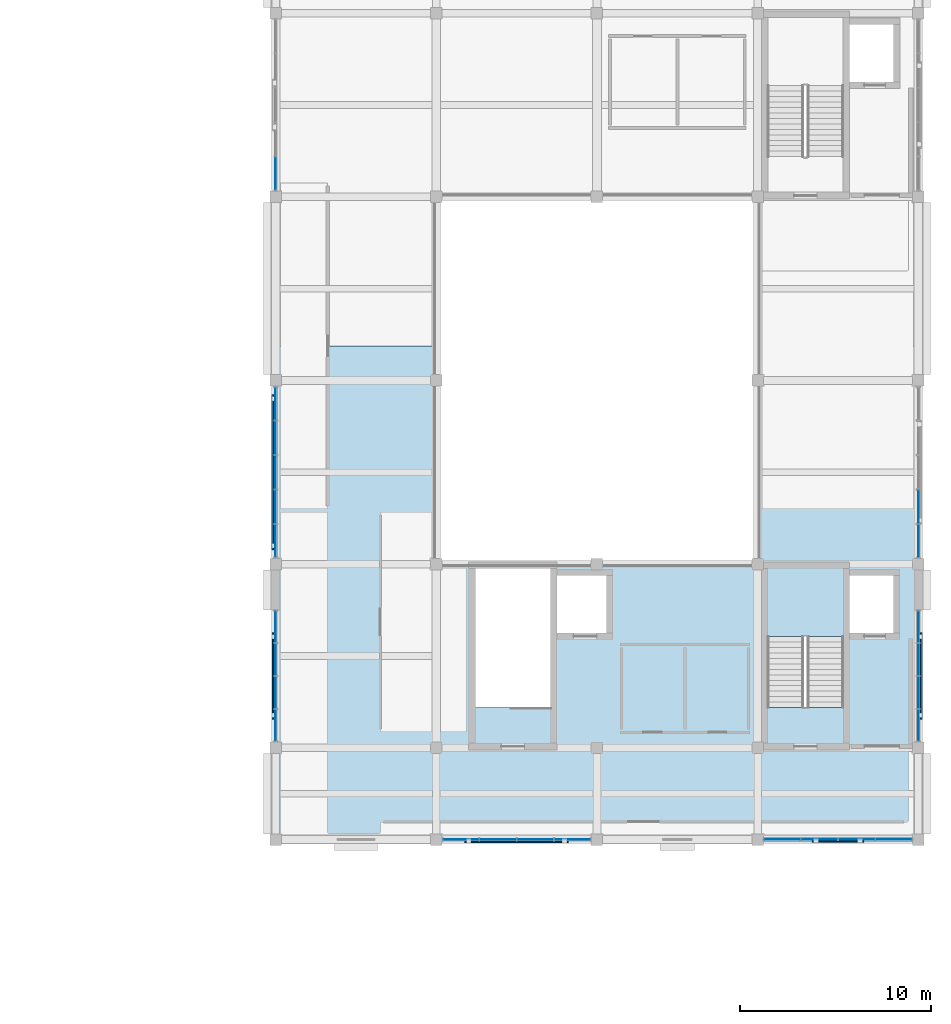
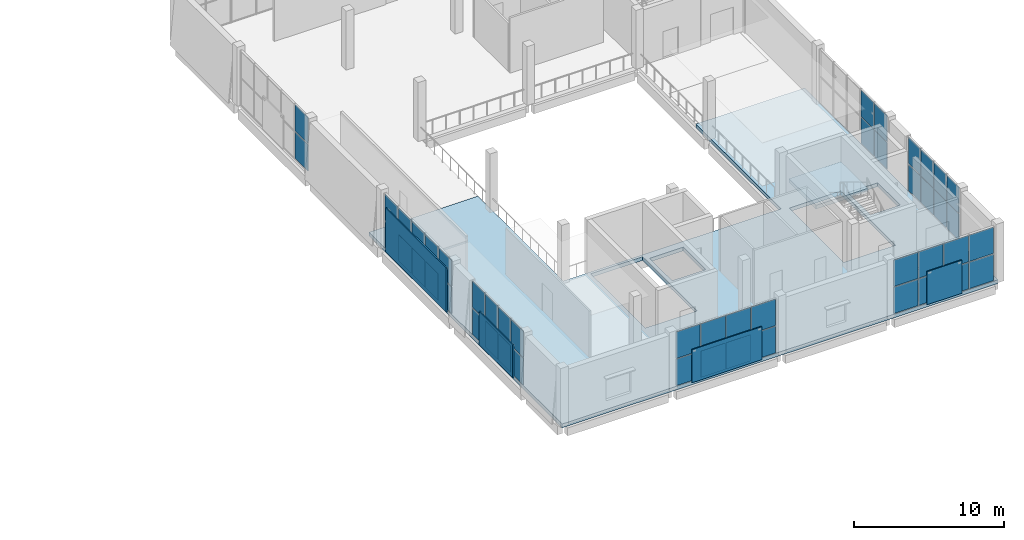
# One storey, part 22 of 37: 53 plates, 2 slabs, 8 elements without a shape of their own.
"""IFC4 building model written with IfcOpenShell, lengths in metres."""

from ifc_helpers import new_model, si_unit, direction, frame, origin, origin_2d, place, context, subcontext, project, spatial, polyline, rectangle, outline, extrude, material, layer, layer_set, type_object, element, aggregate, save


model = new_model("IFC4")

# Units and contexts
model_context = context("Model", 3, precision=1e-05, world=origin(), true_north=direction((0.0, 1.0)))
body_context = subcontext(model_context, "Body", "Model", "MODEL_VIEW")
ifc_project = project(units=[si_unit("LENGTHUNIT", "METRE"), si_unit("AREAUNIT", "SQUARE_METRE"), si_unit("VOLUMEUNIT", "CUBIC_METRE"), si_unit("PLANEANGLEUNIT", "RADIAN"), si_unit("MASSUNIT", "GRAM", prefix="KILO")], contexts=[model_context])

# Site, building, storey
site_placement = place(None, origin())
site = spatial("IfcSite", under=ifc_project, at=site_placement, CompositionType="ELEMENT")
building_placement = place(site_placement, origin())
building = spatial("IfcBuilding", under=site, at=building_placement, Name="Shalvenor Court Art Gallery", CompositionType="ELEMENT")
storey_placement = place(building_placement, frame((0.0, 0.0, 22.199951171875)))
storey = spatial("IfcBuildingStorey", under=building, at=storey_placement, Name="L04", CompositionType="ELEMENT", Elevation=22.199951171875)

# Curtain wall, plates
ifc_material_1 = material(Name="Anodised aluminium and low-iron glass curtain wall", Category="aluminium")
curtain_wall_type_1 = type_object("IfcCurtainWallType", Name="CW-5x2-90-45-212", PredefinedType="USERDEFINED", material=ifc_material_1)
curtain_wall_1_placement = place(storey_placement, origin())
curtain_wall_1 = element("IfcCurtainWall", 1, at=curtain_wall_1_placement, inside=storey, type_object=curtain_wall_type_1, Name="L04 V1 Curtain Wall CW-L04-033", ObjectType="CURTAIN WALL", PredefinedType="USERDEFINED")
ifc_material_2 = material(Name="Low-iron triple-silver solar gallery glazing IGU", Category="glass")
ifc_layer_1 = layer(ifc_material_2, 0.031982421875, Name="Low-iron triple-silver solar gallery glazing IGU")
ifc_layer_set_1 = layer_set([ifc_layer_1], Name="Low-iron triple-silver solar gallery glazing IGU")
plate_type_1 = type_object("IfcPlateType", Name="CWP-02", PredefinedType="CURTAIN_PANEL", material=ifc_layer_set_1)
plate_1_placement = place(storey_placement, frame((176.39990234375, 63.0, 0.06005859375), z_axis=(0.0, 0.0, 1.0), x_axis=(0.0, -1.0, 0.0)))
plate_1 = element("IfcPlate", 2, at=plate_1_placement, type_object=plate_type_1, Name="CW-5x2-90-45-212 panel 4.1", PredefinedType="CURTAIN_PANEL", context=body_context, shape_type="SweptSolid", body=[
    extrude(rectangle(XDim=1.72998046875, YDim=0.031982421875, at=origin_2d()), origin(), (0.0, 0.0, 1.0), 2.159912109375),
])
plate_2_placement = place(storey_placement, frame((176.39990234375, 63.0, 2.2802734375), z_axis=(0.0, 0.0, 1.0), x_axis=(0.0, -1.0, 0.0)))
plate_2 = element("IfcPlate", 3, at=plate_2_placement, type_object=plate_type_1, Name="CW-5x2-90-45-212 panel 4.2", PredefinedType="CURTAIN_PANEL", context=body_context, shape_type="SweptSolid", body=[
    extrude(rectangle(XDim=1.72998046875, YDim=0.031982421875, at=origin_2d()), origin(), (0.0, 0.0, 1.0), 2.159912109375),
])
plate_3_placement = place(storey_placement, frame((176.39990234375, 61.217529296875, 0.06005859375), z_axis=(0.0, 0.0, 1.0), x_axis=(0.0, -1.0, 0.0)))
plate_3 = element("IfcPlate", 4, at=plate_3_placement, type_object=plate_type_1, Name="CW-5x2-90-45-212 panel 5.1", PredefinedType="CURTAIN_PANEL", context=body_context, shape_type="SweptSolid", body=[
    extrude(rectangle(XDim=1.695068359375, YDim=0.031982421875, at=origin_2d()), origin(), (0.0, 0.0, 1.0), 2.159912109375),
])
plate_4_placement = place(storey_placement, frame((176.39990234375, 61.217529296875, 2.2802734375), z_axis=(0.0, 0.0, 1.0), x_axis=(0.0, -1.0, 0.0)))
plate_4 = element("IfcPlate", 5, at=plate_4_placement, type_object=plate_type_1, Name="CW-5x2-90-45-212 panel 5.2", PredefinedType="CURTAIN_PANEL", context=body_context, shape_type="SweptSolid", body=[
    extrude(rectangle(XDim=1.695068359375, YDim=0.031982421875, at=origin_2d()), origin(), (0.0, 0.0, 1.0), 2.159912109375),
])
aggregate(curtain_wall_1, [plate_1, plate_2, plate_3, plate_4])

ifc_material_3 = material(Name="Anodised aluminium and low-iron glass curtain wall", Category="aluminium")
curtain_wall_type_2 = type_object("IfcCurtainWallType", Name="CW-4x2-69-45-422", PredefinedType="USERDEFINED", material=ifc_material_3)
curtain_wall_2_placement = place(storey_placement, origin())
curtain_wall_2 = element("IfcCurtainWall", 6, at=curtain_wall_2_placement, inside=storey, type_object=curtain_wall_type_2, Name="L04 V1 Curtain Wall CW-L04-034", ObjectType="CURTAIN WALL", PredefinedType="USERDEFINED")
plate_5_placement = place(storey_placement, frame((176.39990234375, 56.71875, 0.06494140625), z_axis=(0.0, 0.0, 1.0), x_axis=(0.0, -1.0, 0.0)))
plate_5 = element("IfcPlate", 7, at=plate_5_placement, type_object=plate_type_1, Name="CW-4x2-69-45-422 panel 1.1", PredefinedType="CURTAIN_PANEL", context=body_context, shape_type="SweptSolid", body=[
    extrude(rectangle(XDim=1.612548828125, YDim=0.031982421875, at=origin_2d()), origin(), (0.0, 0.0, 1.0), 2.152587890625),
])
plate_6_placement = place(storey_placement, frame((176.39990234375, 56.71875, 2.28271484375), z_axis=(0.0, 0.0, 1.0), x_axis=(0.0, -1.0, 0.0)))
plate_6 = element("IfcPlate", 8, at=plate_6_placement, type_object=plate_type_1, Name="CW-4x2-69-45-422 panel 1.2", PredefinedType="CURTAIN_PANEL", context=body_context, shape_type="SweptSolid", body=[
    extrude(rectangle(XDim=1.612548828125, YDim=0.031982421875, at=origin_2d()), origin(), (0.0, 0.0, 1.0), 2.152587890625),
])
plate_7_placement = place(storey_placement, frame((176.39990234375, 55.012451171875, 0.06494140625), z_axis=(0.0, 0.0, 1.0), x_axis=(0.0, -1.0, 0.0)))
plate_7 = element("IfcPlate", 9, at=plate_7_placement, type_object=plate_type_1, Name="CW-4x2-69-45-422 panel 2.1", PredefinedType="CURTAIN_PANEL", context=body_context, shape_type="SweptSolid", body=[
    extrude(rectangle(XDim=1.64990234375, YDim=0.031982421875, at=origin_2d()), origin(), (0.0, 0.0, 1.0), 2.152587890625),
])
plate_8_placement = place(storey_placement, frame((176.39990234375, 55.012451171875, 2.28271484375), z_axis=(0.0, 0.0, 1.0), x_axis=(0.0, -1.0, 0.0)))
plate_8 = element("IfcPlate", 10, at=plate_8_placement, type_object=plate_type_1, Name="CW-4x2-69-45-422 panel 2.2", PredefinedType="CURTAIN_PANEL", context=body_context, shape_type="SweptSolid", body=[
    extrude(rectangle(XDim=1.64990234375, YDim=0.031982421875, at=origin_2d()), origin(), (0.0, 0.0, 1.0), 2.152587890625),
])
plate_9_placement = place(storey_placement, frame((176.39990234375, 53.28759765625, 0.06494140625), z_axis=(0.0, 0.0, 1.0), x_axis=(0.0, -1.0, 0.0)))
plate_9 = element("IfcPlate", 11, at=plate_9_placement, type_object=plate_type_1, Name="CW-4x2-69-45-422 panel 3.1", PredefinedType="CURTAIN_PANEL", context=body_context, shape_type="SweptSolid", body=[
    extrude(rectangle(XDim=1.64990234375, YDim=0.031982421875, at=origin_2d()), origin(), (0.0, 0.0, 1.0), 2.152587890625),
])
plate_10_placement = place(storey_placement, frame((176.39990234375, 53.28759765625, 2.28271484375), z_axis=(0.0, 0.0, 1.0), x_axis=(0.0, -1.0, 0.0)))
plate_10 = element("IfcPlate", 12, at=plate_10_placement, type_object=plate_type_1, Name="CW-4x2-69-45-422 panel 3.2", PredefinedType="CURTAIN_PANEL", context=body_context, shape_type="SweptSolid", body=[
    extrude(rectangle(XDim=1.64990234375, YDim=0.031982421875, at=origin_2d()), origin(), (0.0, 0.0, 1.0), 2.152587890625),
])
plate_11_placement = place(storey_placement, frame((176.39990234375, 51.581298828125, 0.06494140625), z_axis=(0.0, 0.0, 1.0), x_axis=(0.0, -1.0, 0.0)))
plate_11 = element("IfcPlate", 13, at=plate_11_placement, type_object=plate_type_1, Name="CW-4x2-69-45-422 panel 4.1", PredefinedType="CURTAIN_PANEL", context=body_context, shape_type="SweptSolid", body=[
    extrude(rectangle(XDim=1.612548828125, YDim=0.031982421875, at=origin_2d()), origin(), (0.0, 0.0, 1.0), 2.152587890625),
])
plate_12_placement = place(storey_placement, frame((176.39990234375, 51.581298828125, 2.28271484375), z_axis=(0.0, 0.0, 1.0), x_axis=(0.0, -1.0, 0.0)))
plate_12 = element("IfcPlate", 14, at=plate_12_placement, type_object=plate_type_1, Name="CW-4x2-69-45-422 panel 4.2", PredefinedType="CURTAIN_PANEL", context=body_context, shape_type="SweptSolid", body=[
    extrude(rectangle(XDim=1.612548828125, YDim=0.031982421875, at=origin_2d()), origin(), (0.0, 0.0, 1.0), 2.152587890625),
])
aggregate(curtain_wall_2, [plate_5, plate_6, plate_7, plate_8, plate_9, plate_10, plate_11, plate_12])

ifc_material_4 = material(Name="Anodised aluminium and low-iron glass curtain wall", Category="aluminium")
curtain_wall_type_3 = type_object("IfcCurtainWallType", Name="CW-4x2-78-45-642", PredefinedType="USERDEFINED", material=ifc_material_4)
curtain_wall_3_placement = place(storey_placement, origin())
curtain_wall_3 = element("IfcCurtainWall", 15, at=curtain_wall_3_placement, inside=storey, type_object=curtain_wall_type_3, Name="L04 V1 Curtain Wall CW-L04-035", ObjectType="CURTAIN WALL", PredefinedType="USERDEFINED")
plate_13_placement = place(storey_placement, frame((175.111328125, 45.60009765625, 0.070068359375), z_axis=(0.0, 0.0, 1.0), x_axis=(-1.0, 0.0, 0.0)))
plate_13 = element("IfcPlate", 16, at=plate_13_placement, type_object=plate_type_1, Name="CW-4x2-78-45-642 panel 1.1", PredefinedType="CURTAIN_PANEL", context=body_context, shape_type="SweptSolid", body=[
    extrude(rectangle(XDim=1.867431640625, YDim=0.031982421875, at=origin_2d()), origin(), (0.0, 0.0, 1.0), 2.14501953125),
])
plate_14_placement = place(storey_placement, frame((175.111328125, 45.60009765625, 2.28515625), z_axis=(0.0, 0.0, 1.0), x_axis=(-1.0, 0.0, 0.0)))
plate_14 = element("IfcPlate", 17, at=plate_14_placement, type_object=plate_type_1, Name="CW-4x2-78-45-642 panel 1.2", PredefinedType="CURTAIN_PANEL", context=body_context, shape_type="SweptSolid", body=[
    extrude(rectangle(XDim=1.867431640625, YDim=0.031982421875, at=origin_2d()), origin(), (0.0, 0.0, 1.0), 2.14501953125),
])
plate_15_placement = place(storey_placement, frame((173.175048828125, 45.60009765625, 0.070068359375), z_axis=(0.0, 0.0, 1.0), x_axis=(-1.0, 0.0, 0.0)))
plate_15 = element("IfcPlate", 18, at=plate_15_placement, type_object=plate_type_1, Name="CW-4x2-78-45-642 panel 2.1", PredefinedType="CURTAIN_PANEL", context=body_context, shape_type="SweptSolid", body=[
    extrude(rectangle(XDim=1.89501953125, YDim=0.031982421875, at=origin_2d()), origin(), (0.0, 0.0, 1.0), 2.14501953125),
])
plate_16_placement = place(storey_placement, frame((173.175048828125, 45.60009765625, 2.28515625), z_axis=(0.0, 0.0, 1.0), x_axis=(-1.0, 0.0, 0.0)))
plate_16 = element("IfcPlate", 19, at=plate_16_placement, type_object=plate_type_1, Name="CW-4x2-78-45-642 panel 2.2", PredefinedType="CURTAIN_PANEL", context=body_context, shape_type="SweptSolid", body=[
    extrude(rectangle(XDim=1.89501953125, YDim=0.031982421875, at=origin_2d()), origin(), (0.0, 0.0, 1.0), 2.14501953125),
])
plate_17_placement = place(storey_placement, frame((171.22509765625, 45.60009765625, 0.070068359375), z_axis=(0.0, 0.0, 1.0), x_axis=(-1.0, 0.0, 0.0)))
plate_17 = element("IfcPlate", 20, at=plate_17_placement, type_object=plate_type_1, Name="CW-4x2-78-45-642 panel 3.1", PredefinedType="CURTAIN_PANEL", context=body_context, shape_type="SweptSolid", body=[
    extrude(rectangle(XDim=1.89501953125, YDim=0.031982421875, at=origin_2d()), origin(), (0.0, 0.0, 1.0), 2.14501953125),
])
plate_18_placement = place(storey_placement, frame((171.22509765625, 45.60009765625, 2.28515625), z_axis=(0.0, 0.0, 1.0), x_axis=(-1.0, 0.0, 0.0)))
plate_18 = element("IfcPlate", 21, at=plate_18_placement, type_object=plate_type_1, Name="CW-4x2-78-45-642 panel 3.2", PredefinedType="CURTAIN_PANEL", context=body_context, shape_type="SweptSolid", body=[
    extrude(rectangle(XDim=1.89501953125, YDim=0.031982421875, at=origin_2d()), origin(), (0.0, 0.0, 1.0), 2.14501953125),
])
plate_19_placement = place(storey_placement, frame((169.288818359375, 45.60009765625, 0.070068359375), z_axis=(0.0, 0.0, 1.0), x_axis=(-1.0, 0.0, 0.0)))
plate_19 = element("IfcPlate", 22, at=plate_19_placement, type_object=plate_type_1, Name="CW-4x2-78-45-642 panel 4.1", PredefinedType="CURTAIN_PANEL", context=body_context, shape_type="SweptSolid", body=[
    extrude(rectangle(XDim=1.867431640625, YDim=0.031982421875, at=origin_2d()), origin(), (0.0, 0.0, 1.0), 2.14501953125),
])
plate_20_placement = place(storey_placement, frame((169.288818359375, 45.60009765625, 2.28515625), z_axis=(0.0, 0.0, 1.0), x_axis=(-1.0, 0.0, 0.0)))
plate_20 = element("IfcPlate", 23, at=plate_20_placement, type_object=plate_type_1, Name="CW-4x2-78-45-642 panel 4.2", PredefinedType="CURTAIN_PANEL", context=body_context, shape_type="SweptSolid", body=[
    extrude(rectangle(XDim=1.867431640625, YDim=0.031982421875, at=origin_2d()), origin(), (0.0, 0.0, 1.0), 2.14501953125),
])
aggregate(curtain_wall_3, [plate_13, plate_14, plate_15, plate_16, plate_17, plate_18, plate_19, plate_20])

ifc_material_5 = material(Name="Anodised aluminium and low-iron glass curtain wall", Category="aluminium")
curtain_wall_type_4 = type_object("IfcCurtainWallType", Name="CW-4x2-78-45-112", PredefinedType="USERDEFINED", material=ifc_material_5)
curtain_wall_4_placement = place(storey_placement, origin())
curtain_wall_4 = element("IfcCurtainWall", 24, at=curtain_wall_4_placement, inside=storey, type_object=curtain_wall_type_4, Name="L04 V1 Curtain Wall CW-L04-036", ObjectType="CURTAIN WALL", PredefinedType="USERDEFINED")
plate_21_placement = place(storey_placement, frame((158.308837890625, 45.60009765625, 0.06005859375), z_axis=(0.0, 0.0, 1.0), x_axis=(-1.0, 0.0, 0.0)))
plate_21 = element("IfcPlate", 25, at=plate_21_placement, type_object=plate_type_1, Name="CW-4x2-78-45-112 panel 1.1", PredefinedType="CURTAIN_PANEL", context=body_context, shape_type="SweptSolid", body=[
    extrude(rectangle(XDim=1.8525390625, YDim=0.031982421875, at=origin_2d()), origin(), (0.0, 0.0, 1.0), 2.159912109375),
])
plate_22_placement = place(storey_placement, frame((158.308837890625, 45.60009765625, 2.2802734375), z_axis=(0.0, 0.0, 1.0), x_axis=(-1.0, 0.0, 0.0)))
plate_22 = element("IfcPlate", 26, at=plate_22_placement, type_object=plate_type_1, Name="CW-4x2-78-45-112 panel 1.2", PredefinedType="CURTAIN_PANEL", context=body_context, shape_type="SweptSolid", body=[
    extrude(rectangle(XDim=1.8525390625, YDim=0.031982421875, at=origin_2d()), origin(), (0.0, 0.0, 1.0), 2.159912109375),
])
plate_23_placement = place(storey_placement, frame((156.375, 45.60009765625, 0.06005859375), z_axis=(0.0, 0.0, 1.0), x_axis=(-1.0, 0.0, 0.0)))
plate_23 = element("IfcPlate", 27, at=plate_23_placement, type_object=plate_type_1, Name="CW-4x2-78-45-112 panel 2.1", PredefinedType="CURTAIN_PANEL", context=body_context, shape_type="SweptSolid", body=[
    extrude(rectangle(XDim=1.885009765625, YDim=0.031982421875, at=origin_2d()), origin(), (0.0, 0.0, 1.0), 2.159912109375),
])
plate_24_placement = place(storey_placement, frame((156.375, 45.60009765625, 2.2802734375), z_axis=(0.0, 0.0, 1.0), x_axis=(-1.0, 0.0, 0.0)))
plate_24 = element("IfcPlate", 28, at=plate_24_placement, type_object=plate_type_1, Name="CW-4x2-78-45-112 panel 2.2", PredefinedType="CURTAIN_PANEL", context=body_context, shape_type="SweptSolid", body=[
    extrude(rectangle(XDim=1.885009765625, YDim=0.031982421875, at=origin_2d()), origin(), (0.0, 0.0, 1.0), 2.159912109375),
])
plate_25_placement = place(storey_placement, frame((154.425048828125, 45.60009765625, 0.06005859375), z_axis=(0.0, 0.0, 1.0), x_axis=(-1.0, 0.0, 0.0)))
plate_25 = element("IfcPlate", 29, at=plate_25_placement, type_object=plate_type_1, Name="CW-4x2-78-45-112 panel 3.1", PredefinedType="CURTAIN_PANEL", context=body_context, shape_type="SweptSolid", body=[
    extrude(rectangle(XDim=1.885009765625, YDim=0.031982421875, at=origin_2d()), origin(), (0.0, 0.0, 1.0), 2.159912109375),
])
plate_26_placement = place(storey_placement, frame((154.425048828125, 45.60009765625, 2.2802734375), z_axis=(0.0, 0.0, 1.0), x_axis=(-1.0, 0.0, 0.0)))
plate_26 = element("IfcPlate", 30, at=plate_26_placement, type_object=plate_type_1, Name="CW-4x2-78-45-112 panel 3.2", PredefinedType="CURTAIN_PANEL", context=body_context, shape_type="SweptSolid", body=[
    extrude(rectangle(XDim=1.885009765625, YDim=0.031982421875, at=origin_2d()), origin(), (0.0, 0.0, 1.0), 2.159912109375),
])
plate_27_placement = place(storey_placement, frame((152.4912109375, 45.60009765625, 0.06005859375), z_axis=(0.0, 0.0, 1.0), x_axis=(-1.0, 0.0, 0.0)))
plate_27 = element("IfcPlate", 31, at=plate_27_placement, type_object=plate_type_1, Name="CW-4x2-78-45-112 panel 4.1", PredefinedType="CURTAIN_PANEL", context=body_context, shape_type="SweptSolid", body=[
    extrude(rectangle(XDim=1.8525390625, YDim=0.031982421875, at=origin_2d()), origin(), (0.0, 0.0, 1.0), 2.159912109375),
])
plate_28_placement = place(storey_placement, frame((152.4912109375, 45.60009765625, 2.2802734375), z_axis=(0.0, 0.0, 1.0), x_axis=(-1.0, 0.0, 0.0)))
plate_28 = element("IfcPlate", 32, at=plate_28_placement, type_object=plate_type_1, Name="CW-4x2-78-45-112 panel 4.2", PredefinedType="CURTAIN_PANEL", context=body_context, shape_type="SweptSolid", body=[
    extrude(rectangle(XDim=1.8525390625, YDim=0.031982421875, at=origin_2d()), origin(), (0.0, 0.0, 1.0), 2.159912109375),
])
aggregate(curtain_wall_4, [plate_21, plate_22, plate_23, plate_24, plate_25, plate_26, plate_27, plate_28])

ifc_material_6 = material(Name="Anodised aluminium and low-iron glass curtain wall", Category="aluminium")
curtain_wall_type_5 = type_object("IfcCurtainWallType", Name="CW-4x2-69-45-222", PredefinedType="USERDEFINED", material=ifc_material_6)
curtain_wall_5_placement = place(storey_placement, origin())
curtain_wall_5 = element("IfcCurtainWall", 33, at=curtain_wall_5_placement, inside=storey, type_object=curtain_wall_type_5, Name="L04 V1 Curtain Wall CW-L04-037", ObjectType="CURTAIN WALL", PredefinedType="USERDEFINED")
plate_29_placement = place(storey_placement, frame((142.800048828125, 51.580078125, 0.06494140625), z_axis=(0.0, 0.0, 1.0), x_axis=(0.0, 1.0, 0.0)))
plate_29 = element("IfcPlate", 34, at=plate_29_placement, type_object=plate_type_1, Name="CW-4x2-69-45-222 panel 1.1", PredefinedType="CURTAIN_PANEL", context=body_context, shape_type="SweptSolid", body=[
    extrude(rectangle(XDim=1.6201171875, YDim=0.031982421875, at=origin_2d()), origin(), (0.0, 0.0, 1.0), 2.152587890625),
])
plate_30_placement = place(storey_placement, frame((142.800048828125, 51.580078125, 2.28271484375), z_axis=(0.0, 0.0, 1.0), x_axis=(0.0, 1.0, 0.0)))
plate_30 = element("IfcPlate", 35, at=plate_30_placement, type_object=plate_type_1, Name="CW-4x2-69-45-222 panel 1.2", PredefinedType="CURTAIN_PANEL", context=body_context, shape_type="SweptSolid", body=[
    extrude(rectangle(XDim=1.6201171875, YDim=0.031982421875, at=origin_2d()), origin(), (0.0, 0.0, 1.0), 2.152587890625),
])
plate_31_placement = place(storey_placement, frame((142.800048828125, 53.28759765625, 0.06494140625), z_axis=(0.0, 0.0, 1.0), x_axis=(0.0, 1.0, 0.0)))
plate_31 = element("IfcPlate", 36, at=plate_31_placement, type_object=plate_type_1, Name="CW-4x2-69-45-222 panel 2.1", PredefinedType="CURTAIN_PANEL", context=body_context, shape_type="SweptSolid", body=[
    extrude(rectangle(XDim=1.655029296875, YDim=0.031982421875, at=origin_2d()), origin(), (0.0, 0.0, 1.0), 2.152587890625),
])
plate_32_placement = place(storey_placement, frame((142.800048828125, 53.28759765625, 2.28271484375), z_axis=(0.0, 0.0, 1.0), x_axis=(0.0, 1.0, 0.0)))
plate_32 = element("IfcPlate", 37, at=plate_32_placement, type_object=plate_type_1, Name="CW-4x2-69-45-222 panel 2.2", PredefinedType="CURTAIN_PANEL", context=body_context, shape_type="SweptSolid", body=[
    extrude(rectangle(XDim=1.655029296875, YDim=0.031982421875, at=origin_2d()), origin(), (0.0, 0.0, 1.0), 2.152587890625),
])
plate_33_placement = place(storey_placement, frame((142.800048828125, 55.012451171875, 0.06494140625), z_axis=(0.0, 0.0, 1.0), x_axis=(0.0, 1.0, 0.0)))
plate_33 = element("IfcPlate", 38, at=plate_33_placement, type_object=plate_type_1, Name="CW-4x2-69-45-222 panel 3.1", PredefinedType="CURTAIN_PANEL", context=body_context, shape_type="SweptSolid", body=[
    extrude(rectangle(XDim=1.655029296875, YDim=0.031982421875, at=origin_2d()), origin(), (0.0, 0.0, 1.0), 2.152587890625),
])
plate_34_placement = place(storey_placement, frame((142.800048828125, 55.012451171875, 2.28271484375), z_axis=(0.0, 0.0, 1.0), x_axis=(0.0, 1.0, 0.0)))
plate_34 = element("IfcPlate", 39, at=plate_34_placement, type_object=plate_type_1, Name="CW-4x2-69-45-222 panel 3.2", PredefinedType="CURTAIN_PANEL", context=body_context, shape_type="SweptSolid", body=[
    extrude(rectangle(XDim=1.655029296875, YDim=0.031982421875, at=origin_2d()), origin(), (0.0, 0.0, 1.0), 2.152587890625),
])
plate_35_placement = place(storey_placement, frame((142.800048828125, 56.719970703125, 0.06494140625), z_axis=(0.0, 0.0, 1.0), x_axis=(0.0, 1.0, 0.0)))
plate_35 = element("IfcPlate", 40, at=plate_35_placement, type_object=plate_type_1, Name="CW-4x2-69-45-222 panel 4.1", PredefinedType="CURTAIN_PANEL", context=body_context, shape_type="SweptSolid", body=[
    extrude(rectangle(XDim=1.6201171875, YDim=0.031982421875, at=origin_2d()), origin(), (0.0, 0.0, 1.0), 2.152587890625),
])
plate_36_placement = place(storey_placement, frame((142.800048828125, 56.719970703125, 2.28271484375), z_axis=(0.0, 0.0, 1.0), x_axis=(0.0, 1.0, 0.0)))
plate_36 = element("IfcPlate", 41, at=plate_36_placement, type_object=plate_type_1, Name="CW-4x2-69-45-222 panel 4.2", PredefinedType="CURTAIN_PANEL", context=body_context, shape_type="SweptSolid", body=[
    extrude(rectangle(XDim=1.6201171875, YDim=0.031982421875, at=origin_2d()), origin(), (0.0, 0.0, 1.0), 2.152587890625),
])
aggregate(curtain_wall_5, [plate_29, plate_30, plate_31, plate_32, plate_33, plate_34, plate_35, plate_36])

ifc_material_7 = material(Name="Anodised aluminium and low-iron glass curtain wall", Category="aluminium")
curtain_wall_type_6 = type_object("IfcCurtainWallType", Name="CW-5x2-90-45-442", PredefinedType="USERDEFINED", material=ifc_material_7)
curtain_wall_6_placement = place(storey_placement, origin())
curtain_wall_6 = element("IfcCurtainWall", 42, at=curtain_wall_6_placement, inside=storey, type_object=curtain_wall_type_6, Name="L04 V1 Curtain Wall CW-L04-038", ObjectType="CURTAIN WALL", PredefinedType="USERDEFINED")
plate_37_placement = place(storey_placement, frame((142.800048828125, 61.21875, 0.070068359375), z_axis=(0.0, 0.0, 1.0), x_axis=(0.0, 1.0, 0.0)))
plate_37 = element("IfcPlate", 43, at=plate_37_placement, type_object=plate_type_1, Name="CW-5x2-90-45-442 panel 1.1", PredefinedType="CURTAIN_PANEL", context=body_context, shape_type="SweptSolid", body=[
    extrude(rectangle(XDim=1.6875, YDim=0.031982421875, at=origin_2d()), origin(), (0.0, 0.0, 1.0), 2.14501953125),
])
plate_38_placement = place(storey_placement, frame((142.800048828125, 61.21875, 2.28515625), z_axis=(0.0, 0.0, 1.0), x_axis=(0.0, 1.0, 0.0)))
plate_38 = element("IfcPlate", 44, at=plate_38_placement, type_object=plate_type_1, Name="CW-5x2-90-45-442 panel 1.2", PredefinedType="CURTAIN_PANEL", context=body_context, shape_type="SweptSolid", body=[
    extrude(rectangle(XDim=1.6875, YDim=0.031982421875, at=origin_2d()), origin(), (0.0, 0.0, 1.0), 2.14501953125),
])
plate_39_placement = place(storey_placement, frame((142.800048828125, 63.0, 0.070068359375), z_axis=(0.0, 0.0, 1.0), x_axis=(0.0, 1.0, 0.0)))
plate_39 = element("IfcPlate", 45, at=plate_39_placement, type_object=plate_type_1, Name="CW-5x2-90-45-442 panel 2.1", PredefinedType="CURTAIN_PANEL", context=body_context, shape_type="SweptSolid", body=[
    extrude(rectangle(XDim=1.72509765625, YDim=0.031982421875, at=origin_2d()), origin(), (0.0, 0.0, 1.0), 2.14501953125),
])
plate_40_placement = place(storey_placement, frame((142.800048828125, 63.0, 2.28515625), z_axis=(0.0, 0.0, 1.0), x_axis=(0.0, 1.0, 0.0)))
plate_40 = element("IfcPlate", 46, at=plate_40_placement, type_object=plate_type_1, Name="CW-5x2-90-45-442 panel 2.2", PredefinedType="CURTAIN_PANEL", context=body_context, shape_type="SweptSolid", body=[
    extrude(rectangle(XDim=1.72509765625, YDim=0.031982421875, at=origin_2d()), origin(), (0.0, 0.0, 1.0), 2.14501953125),
])
plate_41_placement = place(storey_placement, frame((142.800048828125, 64.800048828125, 0.070068359375), z_axis=(0.0, 0.0, 1.0), x_axis=(0.0, 1.0, 0.0)))
plate_41 = element("IfcPlate", 47, at=plate_41_placement, type_object=plate_type_1, Name="CW-5x2-90-45-442 panel 3.1", PredefinedType="CURTAIN_PANEL", context=body_context, shape_type="SweptSolid", body=[
    extrude(rectangle(XDim=1.72509765625, YDim=0.031982421875, at=origin_2d()), origin(), (0.0, 0.0, 1.0), 2.14501953125),
])
plate_42_placement = place(storey_placement, frame((142.800048828125, 64.800048828125, 2.28515625), z_axis=(0.0, 0.0, 1.0), x_axis=(0.0, 1.0, 0.0)))
plate_42 = element("IfcPlate", 48, at=plate_42_placement, type_object=plate_type_1, Name="CW-5x2-90-45-442 panel 3.2", PredefinedType="CURTAIN_PANEL", context=body_context, shape_type="SweptSolid", body=[
    extrude(rectangle(XDim=1.72509765625, YDim=0.031982421875, at=origin_2d()), origin(), (0.0, 0.0, 1.0), 2.14501953125),
])
plate_43_placement = place(storey_placement, frame((142.800048828125, 66.60009765625, 0.070068359375), z_axis=(0.0, 0.0, 1.0), x_axis=(0.0, 1.0, 0.0)))
plate_43 = element("IfcPlate", 49, at=plate_43_placement, type_object=plate_type_1, Name="CW-5x2-90-45-442 panel 4.1", PredefinedType="CURTAIN_PANEL", context=body_context, shape_type="SweptSolid", body=[
    extrude(rectangle(XDim=1.72509765625, YDim=0.031982421875, at=origin_2d()), origin(), (0.0, 0.0, 1.0), 2.14501953125),
])
plate_44_placement = place(storey_placement, frame((142.800048828125, 66.60009765625, 2.28515625), z_axis=(0.0, 0.0, 1.0), x_axis=(0.0, 1.0, 0.0)))
plate_44 = element("IfcPlate", 50, at=plate_44_placement, type_object=plate_type_1, Name="CW-5x2-90-45-442 panel 4.2", PredefinedType="CURTAIN_PANEL", context=body_context, shape_type="SweptSolid", body=[
    extrude(rectangle(XDim=1.72509765625, YDim=0.031982421875, at=origin_2d()), origin(), (0.0, 0.0, 1.0), 2.14501953125),
])
plate_45_placement = place(storey_placement, frame((142.800048828125, 68.38134765625, 0.070068359375), z_axis=(0.0, 0.0, 1.0), x_axis=(0.0, 1.0, 0.0)))
plate_45 = element("IfcPlate", 51, at=plate_45_placement, type_object=plate_type_1, Name="CW-5x2-90-45-442 panel 5.1", PredefinedType="CURTAIN_PANEL", context=body_context, shape_type="SweptSolid", body=[
    extrude(rectangle(XDim=1.6875, YDim=0.031982421875, at=origin_2d()), origin(), (0.0, 0.0, 1.0), 2.14501953125),
])
plate_46_placement = place(storey_placement, frame((142.800048828125, 68.38134765625, 2.28515625), z_axis=(0.0, 0.0, 1.0), x_axis=(0.0, 1.0, 0.0)))
plate_46 = element("IfcPlate", 52, at=plate_46_placement, type_object=plate_type_1, Name="CW-5x2-90-45-442 panel 5.2", PredefinedType="CURTAIN_PANEL", context=body_context, shape_type="SweptSolid", body=[
    extrude(rectangle(XDim=1.6875, YDim=0.031982421875, at=origin_2d()), origin(), (0.0, 0.0, 1.0), 2.14501953125),
])
aggregate(curtain_wall_6, [plate_37, plate_38, plate_39, plate_40, plate_41, plate_42, plate_43, plate_44, plate_45, plate_46])

ifc_material_8 = material(Name="Anodised aluminium and low-iron glass curtain wall", Category="aluminium")
curtain_wall_type_7 = type_object("IfcCurtainWallType", Name="CW-5x2-90-45-612", PredefinedType="USERDEFINED", material=ifc_material_8)
curtain_wall_7_placement = place(storey_placement, origin())
curtain_wall_7 = element("IfcCurtainWall", 53, at=curtain_wall_7_placement, inside=storey, type_object=curtain_wall_type_7, Name="L04 V1 Curtain Wall CW-L04-039", ObjectType="CURTAIN WALL", PredefinedType="USERDEFINED")
plate_47_placement = place(storey_placement, frame((142.800048828125, 80.413818359375, 0.06005859375), z_axis=(0.0, 0.0, 1.0), x_axis=(0.0, 1.0, 0.0)))
plate_47 = element("IfcPlate", 54, at=plate_47_placement, type_object=plate_type_1, Name="CW-5x2-90-45-612 panel 1.1", PredefinedType="CURTAIN_PANEL", context=body_context, shape_type="SweptSolid", body=[
    extrude(rectangle(XDim=1.717529296875, YDim=0.031982421875, at=origin_2d()), origin(), (0.0, 0.0, 1.0), 2.159912109375),
])
plate_48_placement = place(storey_placement, frame((142.800048828125, 80.413818359375, 2.2802734375), z_axis=(0.0, 0.0, 1.0), x_axis=(0.0, 1.0, 0.0)))
plate_48 = element("IfcPlate", 55, at=plate_48_placement, type_object=plate_type_1, Name="CW-5x2-90-45-612 panel 1.2", PredefinedType="CURTAIN_PANEL", context=body_context, shape_type="SweptSolid", body=[
    extrude(rectangle(XDim=1.717529296875, YDim=0.031982421875, at=origin_2d()), origin(), (0.0, 0.0, 1.0), 2.159912109375),
])
aggregate(curtain_wall_7, [plate_47, plate_48])

# Slab
ifc_material_9 = material(Name="Concrete C40/50", Category="concrete")
ifc_layer_2 = layer(ifc_material_9, 0.300048828125, Name="Concrete C40/50")
ifc_layer_set_2 = layer_set([ifc_layer_2], Name="Concrete C40/50")
slab_type_1 = type_object("IfcSlabType", Name="FS-300", PredefinedType="FLOOR", material=ifc_layer_set_2)
slab_1_placement = place(storey_placement, frame((0.0, 0.0, -0.300048828125)))
element("IfcSlab", 56, at=slab_1_placement, inside=storey, type_object=slab_type_1, Name="L04 V1 Floor Slab 1", PredefinedType="FLOOR", context=body_context, shape_type="SweptSolid", body=[
    extrude(outline(polyline([(176.39990234375, 45.60009765625), (142.800048828125, 45.60009765625), (142.800048828125, 71.39990234375), (151.199951171875, 71.39990234375), (151.199951171875, 60.0), (168.0, 60.0), (168.0, 71.39990234375), (176.39990234375, 71.39990234375), (176.39990234375, 45.60009765625)]), holes=[polyline([(168.5, 59.800048828125), (168.5, 52.510986328125), (172.5, 52.510986328125), (172.5, 59.800048828125), (168.5, 59.800048828125)]), polyline([(157.199951171875, 59.800048828125), (153.199951171875, 59.800048828125), (153.199951171875, 52.510986328125), (157.199951171875, 52.510986328125), (157.199951171875, 59.800048828125)]), polyline([(172.81201171875, 56.39990234375), (175.10009765625, 56.39990234375), (175.10009765625, 59.39990234375), (172.81201171875, 59.39990234375), (172.81201171875, 56.39990234375)]), polyline([(157.511962890625, 59.39990234375), (157.511962890625, 56.39990234375), (160.10009765625, 56.39990234375), (160.10009765625, 59.39990234375), (157.511962890625, 59.39990234375)])]), origin(), (0.0, 0.0, 1.0), 0.300048828125),
])

# Plates
ifc_material_10 = material(Name="Perforated pale limestone GRC lattice", Category="masonry")
ifc_layer_3 = layer(ifc_material_10, 0.090087890625, Name="Perforated pale limestone GRC lattice")
ifc_layer_set_3 = layer_set([ifc_layer_3], Name="Perforated pale limestone GRC lattice")
plate_type_2 = type_object("IfcPlateType", Name="SCR-02", PredefinedType="USERDEFINED", material=ifc_layer_set_3)
plate_49_placement = place(storey_placement, frame((176.552978515625, 54.14990234375, 0.0), z_axis=(0.0, 0.0, 1.0), x_axis=(0.0, -1.0, 0.0)))
element("IfcPlate", 57, at=plate_49_placement, inside=storey, type_object=plate_type_2, Name="L04 V1 Perforated Stone Lattice Screen PLT-SCR-0034", ObjectType="SCREEN", PredefinedType="USERDEFINED", context=body_context, shape_type="SweptSolid", body=[
    extrude(rectangle(XDim=4.5, YDim=0.090087890625, at=origin_2d()), origin(), (0.0, 0.0, 1.0), 3.60009765625),
])
ifc_material_11 = material(Name="Perforated pale limestone GRC lattice", Category="masonry")
ifc_layer_4 = layer(ifc_material_11, 0.090087890625, Name="Perforated pale limestone GRC lattice")
ifc_layer_set_4 = layer_set([ifc_layer_4], Name="Perforated pale limestone GRC lattice")
plate_type_3 = type_object("IfcPlateType", Name="SCR-09", PredefinedType="USERDEFINED", material=ifc_layer_set_4)
plate_50_placement = place(storey_placement, frame((142.656982421875, 54.14990234375, 0.0), z_axis=(0.0, 0.0, 1.0), x_axis=(0.0, 1.0, 0.0)))
element("IfcPlate", 58, at=plate_50_placement, inside=storey, type_object=plate_type_3, Name="L04 V1 Perforated Stone Lattice Screen PLT-SCR-0037", ObjectType="SCREEN", PredefinedType="USERDEFINED", context=body_context, shape_type="SweptSolid", body=[
    extrude(rectangle(XDim=4.5, YDim=0.090087890625, at=origin_2d()), origin(), (0.0, 0.0, 1.0), 2.699951171875),
])
ifc_material_12 = material(Name="Perforated pale limestone GRC lattice", Category="masonry")
ifc_layer_5 = layer(ifc_material_12, 0.094970703125, Name="Perforated pale limestone GRC lattice")
ifc_layer_set_5 = layer_set([ifc_layer_5], Name="Perforated pale limestone GRC lattice")
plate_type_4 = type_object("IfcPlateType", Name="SCR-11", PredefinedType="USERDEFINED", material=ifc_layer_set_5)
plate_51_placement = place(storey_placement, frame((142.64453125, 64.800048828125, 0.0), z_axis=(0.0, 0.0, 1.0), x_axis=(0.0, 1.0, 0.0)))
element("IfcPlate", 59, at=plate_51_placement, inside=storey, type_object=plate_type_4, Name="L04 V1 Perforated Stone Lattice Screen PLT-SCR-0038", ObjectType="SCREEN", PredefinedType="USERDEFINED", context=body_context, shape_type="SweptSolid", body=[
    extrude(rectangle(XDim=8.10009765625, YDim=0.094970703125, at=origin_2d()), origin(), (0.0, 0.0, 1.0), 3.60009765625),
])
ifc_material_13 = material(Name="Perforated pale limestone GRC lattice", Category="masonry")
ifc_layer_6 = layer(ifc_material_13, 0.0849609375, Name="Perforated pale limestone GRC lattice")
ifc_layer_set_6 = layer_set([ifc_layer_6], Name="Perforated pale limestone GRC lattice")
plate_type_5 = type_object("IfcPlateType", Name="SCR-13", PredefinedType="USERDEFINED", material=ifc_layer_set_6)
plate_52_placement = place(storey_placement, frame((172.199951171875, 45.489501953125, 0.0), z_axis=(0.0, 0.0, 1.0), x_axis=(-1.0, 0.0, 0.0)))
element("IfcPlate", 60, at=plate_52_placement, inside=storey, type_object=plate_type_5, Name="L04 V1 Perforated Stone Lattice Screen PLT-SCR-0035", ObjectType="SCREEN", PredefinedType="USERDEFINED", context=body_context, shape_type="SweptSolid", body=[
    extrude(rectangle(XDim=2.699951171875, YDim=0.0849609375, at=origin_2d()), origin(), (0.0, 0.0, 1.0), 2.699951171875),
])
ifc_material_14 = material(Name="Perforated pale limestone GRC lattice", Category="masonry")
ifc_layer_7 = layer(ifc_material_14, 0.0849609375, Name="Perforated pale limestone GRC lattice")
ifc_layer_set_7 = layer_set([ifc_layer_7], Name="Perforated pale limestone GRC lattice")
plate_type_6 = type_object("IfcPlateType", Name="SCR-14", PredefinedType="USERDEFINED", material=ifc_layer_set_7)
plate_53_placement = place(storey_placement, frame((155.39990234375, 45.469482421875, 0.0), z_axis=(0.0, 0.0, 1.0), x_axis=(-1.0, 0.0, 0.0)))
element("IfcPlate", 61, at=plate_53_placement, inside=storey, type_object=plate_type_6, Name="L04 V1 Perforated Stone Lattice Screen PLT-SCR-0036", ObjectType="SCREEN", PredefinedType="USERDEFINED", context=body_context, shape_type="SweptSolid", body=[
    extrude(rectangle(XDim=5.39990234375, YDim=0.0849609375, at=origin_2d()), origin(), (0.0, 0.0, 1.0), 2.699951171875),
])

# Stair, slab
ifc_material_15 = material(Name="Concrete C40/50", Category="concrete")
stair_type = type_object("IfcStairType", Name="ST-DL-28R-1900", PredefinedType="HALF_TURN_STAIR", material=ifc_material_15)
stair_placement = place(storey_placement, origin())
stair = element("IfcStair", 62, at=stair_placement, inside=storey, type_object=stair_type, Name="L04 Core Dogleg Stair ST-02", PredefinedType="HALF_TURN_STAIR")
ifc_material_16 = material(Name="Concrete C40/50", Category="concrete")
ifc_layer_8 = layer(ifc_material_16, 0.300048828125, Name="Concrete C40/50")
ifc_layer_set_8 = layer_set([ifc_layer_8], Name="Concrete C40/50")
slab_type_2 = type_object("IfcSlabType", Name="SLD-300", PredefinedType="LANDING", material=ifc_layer_set_8)
slab_2_placement = place(storey_placement, frame((0.0, 0.0, 2.10009765625)))
slab_2 = element("IfcSlab", 63, at=slab_2_placement, type_object=slab_type_2, Name="ST-DL-28R-1900 landing 1", PredefinedType="LANDING", context=body_context, shape_type="SweptSolid", body=[
    extrude(outline(polyline([(172.5, 56.205078125), (172.5, 59.800048828125), (168.5, 59.800048828125), (168.5, 56.205078125), (172.5, 56.205078125)])), origin(), (0.0, 0.0, 1.0), 0.300048828125),
])
aggregate(stair, [slab_2])

save(model, "model.ifc")
